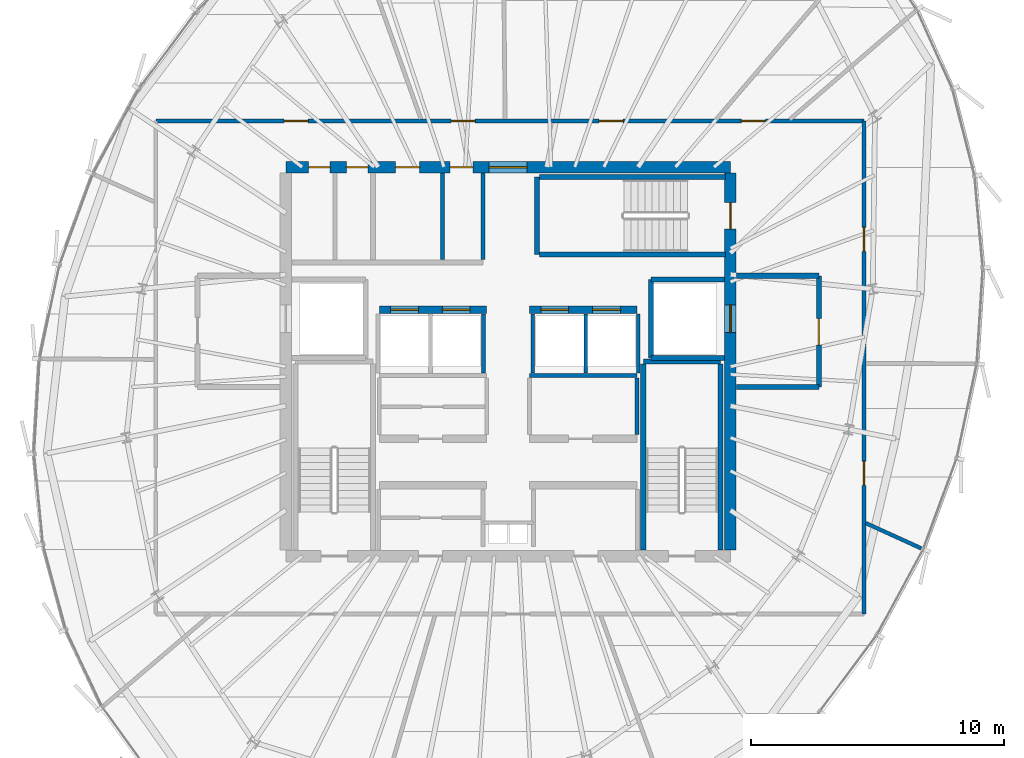
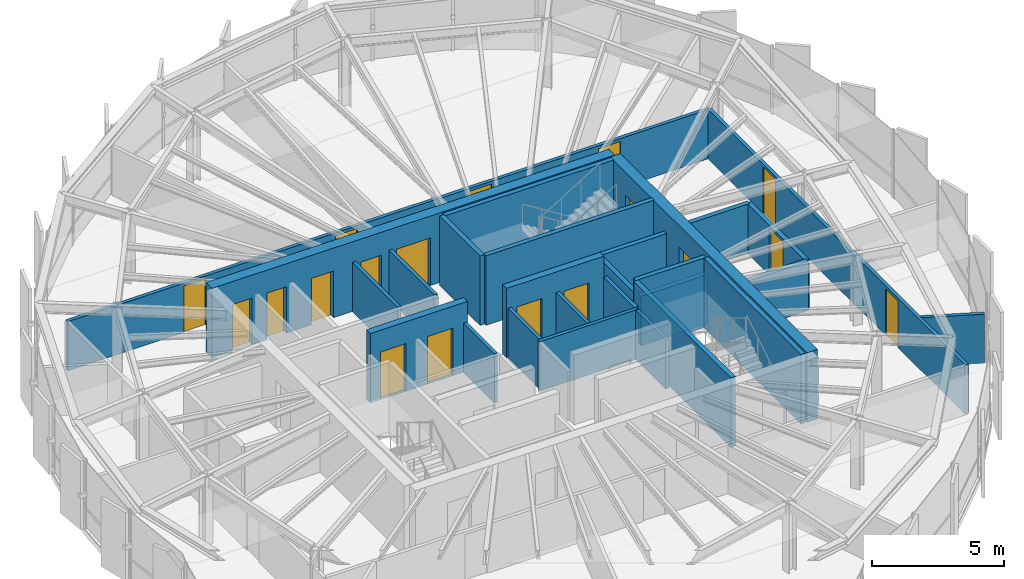
# One storey, part 25 of 30: 27 walls, 18 doors, 18 openings.
"""IFC4 building model written with IfcOpenShell, lengths in metres."""

from ifc_helpers import new_model, si_unit, direction, frame, frame_2d, origin, place, context, subcontext, project, spatial, rectangle, extrude, source, transform, mapped, material, layer, layer_set, type_object, element, fill, save


model = new_model("IFC4")

# Units and contexts
model_context = context("Model", 3, precision=1e-05, world=origin(), true_north=direction((0.0, 1.0)))
body_context = subcontext(model_context, "Body", "Model", "MODEL_VIEW")
ifc_project = project(units=[si_unit("LENGTHUNIT", "METRE"), si_unit("AREAUNIT", "SQUARE_METRE"), si_unit("VOLUMEUNIT", "CUBIC_METRE"), si_unit("PLANEANGLEUNIT", "RADIAN"), si_unit("MASSUNIT", "GRAM", prefix="KILO"), si_unit("THERMODYNAMICTEMPERATUREUNIT", "KELVIN")], contexts=[model_context])

# Site, building, storey
site_placement = place(None, origin())
site = spatial("IfcSite", under=ifc_project, at=site_placement, CompositionType="ELEMENT")
building_placement = place(site_placement, origin())
building = spatial("IfcBuilding", under=site, at=building_placement, Name="Kethvar Cultural Tower", CompositionType="ELEMENT")
storey_placement = place(building_placement, frame((0.0, 0.0, 297.39990234375)))
storey = spatial("IfcBuildingStorey", under=building, at=storey_placement, Name="L79", CompositionType="ELEMENT", Elevation=297.39990234375)

# Wall, openings, doors
ifc_material_1 = material(Name="Concrete C50/60", Category="concrete")
ifc_layer_1 = layer(ifc_material_1, 0.449951171875, Name="Concrete C50/60", Category="concrete")
ifc_layer_set_1 = layer_set([ifc_layer_1], Name="Concrete C50/60 (450 mm)")
wall_type_1 = type_object("IfcWallType", Name="WL-CORE-450", PredefinedType="SHEAR", material=ifc_layer_set_1)
wall_1_placement = place(storey_placement, frame((55.60009765625, 35.5, 0.0), z_axis=(0.0, 0.0, 1.0), x_axis=(-1.0, 0.0, 0.0)))
wall_1 = element("IfcWall", 1, at=wall_1_placement, inside=storey, type_object=wall_type_1, Name="L79 Core Shear Wall N", PredefinedType="SHEAR", context=body_context, shape_type="SweptSolid", body=[
    extrude(rectangle(XDim=17.60009765625, YDim=0.449951171875, at=frame_2d((8.800048828125, 0.0))), origin(), (0.0, 0.0, 1.0), 3.210205078125),
])
opening_1_placement = place(wall_1_placement, frame((8.050048828125, 0.0, 0.0)))
opening_1 = element("IfcOpeningElement", 2, at=opening_1_placement, cuts=wall_1, Name="Opening D-L79-LN", PredefinedType="OPENING", context=body_context, shape_type="SweptSolid", body=[
    extrude(rectangle(XDim=1.5, YDim=2.199951171875, at=frame_2d((0.75, 1.10009765625))), frame((0.0, 0.23486328125, 0.0), z_axis=(0.0, -1.0, 0.0), x_axis=(1.0, 0.0, 0.0)), (0.0, 0.0, 1.0), 0.469970703125),
])
opening_2_placement = place(wall_1_placement, frame((15.85009765625, 0.0, 0.0)))
opening_2 = element("IfcOpeningElement", 3, at=opening_2_placement, cuts=wall_1, Name="Opening D-L79-E1", PredefinedType="OPENING", context=body_context, shape_type="SweptSolid", body=[
    extrude(rectangle(XDim=0.85009765625, YDim=2.14990234375, at=frame_2d((0.425048828125, 1.074951171875))), frame((0.0, 0.23486328125, 0.0), z_axis=(0.0, -1.0, 0.0), x_axis=(1.0, 0.0, 0.0)), (0.0, 0.0, 1.0), 0.469970703125),
])
opening_3_placement = place(wall_1_placement, frame((14.35009765625, 0.0, 0.0)))
opening_3 = element("IfcOpeningElement", 4, at=opening_3_placement, cuts=wall_1, Name="Opening D-L79-E2", PredefinedType="OPENING", context=body_context, shape_type="SweptSolid", body=[
    extrude(rectangle(XDim=0.85009765625, YDim=2.14990234375, at=frame_2d((0.425048828125, 1.074951171875))), frame((0.0, 0.23486328125, 0.0), z_axis=(0.0, -1.0, 0.0), x_axis=(1.0, 0.0, 0.0)), (0.0, 0.0, 1.0), 0.469970703125),
])
opening_4_placement = place(wall_1_placement, frame((12.300048828125, 0.0, 0.0)))
opening_4 = element("IfcOpeningElement", 5, at=opening_4_placement, cuts=wall_1, Name="Opening D-L79-W1", PredefinedType="OPENING", context=body_context, shape_type="SweptSolid", body=[
    extrude(rectangle(XDim=0.949951171875, YDim=2.14990234375, at=frame_2d((0.47509765625, 1.074951171875))), frame((0.0, 0.23486328125, 0.0), z_axis=(0.0, -1.0, 0.0), x_axis=(1.0, 0.0, 0.0)), (0.0, 0.0, 1.0), 0.469970703125),
])
opening_5_placement = place(wall_1_placement, frame((10.199951171875, 0.0, 0.0)))
opening_5 = element("IfcOpeningElement", 6, at=opening_5_placement, cuts=wall_1, Name="Opening D-L79-W2", PredefinedType="OPENING", context=body_context, shape_type="SweptSolid", body=[
    extrude(rectangle(XDim=0.89990234375, YDim=2.14990234375, at=frame_2d((0.449951171875, 1.074951171875))), frame((0.0, 0.23486328125, 0.0), z_axis=(0.0, -1.0, 0.0), x_axis=(1.0, 0.0, 0.0)), (0.0, 0.0, 1.0), 0.469970703125),
])
ifc_material_2 = material(Name="Architectural Oak Timber", Category="wood")
door_type_1 = type_object("IfcDoorType", Name="DR-DBL-FD60-1500", OperationType="DOUBLE_DOOR_SINGLE_SWING", PredefinedType="DOOR", material=ifc_material_2)
shared_shape_1 = source(origin(), body_context, "Body", "SweptSolid", [
    extrude(rectangle(XDim=1.5, YDim=2.199951171875, at=frame_2d((0.75, 1.10009765625))), frame((0.0, 0.02490234375, 0.0), z_axis=(0.0, -1.0, 0.0), x_axis=(1.0, 0.0, 0.0)), (0.0, 0.0, 1.0), 0.050048828125),
])
door_1_placement = place(opening_1_placement, origin())
door_1 = element("IfcDoor", 7, at=door_1_placement, inside=storey, type_object=door_type_1, Name="L79 Lift Lobby Concourse Door", OperationType="DOUBLE_DOOR_SINGLE_SWING", OverallHeight=2.199951171875, OverallWidth=1.5, PredefinedType="DOOR", context=body_context, shape_type="MappedRepresentation", body=[
    mapped(shared_shape_1, transform((0.0, 0.0, 0.0), scale=1.0)),
])
fill(opening_1, door_1)
door_type_2 = type_object("IfcDoorType", Name="DR-FD30-950", OperationType="NOTDEFINED", PredefinedType="DOOR", material=ifc_material_2)
shared_shape_2 = source(origin(), body_context, "Body", "SweptSolid", [
    extrude(rectangle(XDim=0.949951171875, YDim=2.14990234375, at=frame_2d((0.47509765625, 1.074951171875))), frame((0.0, 0.02490234375, 0.0), z_axis=(0.0, -1.0, 0.0), x_axis=(1.0, 0.0, 0.0)), (0.0, 0.0, 1.0), 0.050048828125),
])
door_2_placement = place(opening_4_placement, origin())
door_2 = element("IfcDoor", 8, at=door_2_placement, inside=storey, type_object=door_type_2, Name="L79 Public Washroom Door", OperationType="SINGLE_SWING_LEFT", OverallHeight=2.14990234375, OverallWidth=0.949951171875, PredefinedType="DOOR", context=body_context, shape_type="MappedRepresentation", body=[
    mapped(shared_shape_2, transform((0.0, 0.0, 0.0), scale=1.0)),
])
fill(opening_4, door_2)
door_type_3 = type_object("IfcDoorType", Name="DR-FD30-900", OperationType="NOTDEFINED", PredefinedType="DOOR", material=ifc_material_2)
shared_shape_3 = source(origin(), body_context, "Body", "SweptSolid", [
    extrude(rectangle(XDim=0.89990234375, YDim=2.14990234375, at=frame_2d((0.449951171875, 1.074951171875))), frame((0.0, 0.02490234375, 0.0), z_axis=(0.0, -1.0, 0.0), x_axis=(1.0, 0.0, 0.0)), (0.0, 0.0, 1.0), 0.050048828125),
])
door_3_placement = place(opening_5_placement, origin())
door_3 = element("IfcDoor", 9, at=door_3_placement, inside=storey, type_object=door_type_3, Name="L79 Accessible Washroom Door", OperationType="SINGLE_SWING_RIGHT", OverallHeight=2.14990234375, OverallWidth=0.89990234375, PredefinedType="DOOR", context=body_context, shape_type="MappedRepresentation", body=[
    mapped(shared_shape_3, transform((0.0, 0.0, 0.0), scale=1.0)),
])
fill(opening_5, door_3)
ifc_material_3 = material(Name="Steel S355J2", Category="steel")
door_type_4 = type_object("IfcDoorType", Name="DR-FD30-850", OperationType="NOTDEFINED", PredefinedType="DOOR", material=ifc_material_3)
shared_shape_4 = source(origin(), body_context, "Body", "SweptSolid", [
    extrude(rectangle(XDim=0.85009765625, YDim=2.14990234375, at=frame_2d((0.425048828125, 1.074951171875))), frame((0.0, 0.02490234375, 0.0), z_axis=(0.0, -1.0, 0.0), x_axis=(1.0, 0.0, 0.0)), (0.0, 0.0, 1.0), 0.050048828125),
])
door_4_placement = place(opening_2_placement, origin())
door_4 = element("IfcDoor", 10, at=door_4_placement, inside=storey, type_object=door_type_4, Name="L79 Electrical Riser Door", OperationType="SINGLE_SWING_LEFT", OverallHeight=2.14990234375, OverallWidth=0.85009765625, PredefinedType="DOOR", context=body_context, shape_type="MappedRepresentation", body=[
    mapped(shared_shape_4, transform((0.0, 0.0, 0.0), scale=1.0)),
])
fill(opening_2, door_4)
door_5_placement = place(opening_3_placement, origin())
door_5 = element("IfcDoor", 11, at=door_5_placement, inside=storey, type_object=door_type_4, Name="L79 Chilled Water Riser Door", OperationType="SINGLE_SWING_RIGHT", OverallHeight=2.14990234375, OverallWidth=0.85009765625, PredefinedType="DOOR", context=body_context, shape_type="MappedRepresentation", body=[
    mapped(shared_shape_4, transform((0.0, 0.0, 0.0), scale=1.0)),
])
fill(opening_3, door_5)

wall_2_placement = place(storey_placement, frame((55.60009765625, 20.340087890625, 0.0), z_axis=(0.0, 0.0, 1.0), x_axis=(0.0, 1.0, 0.0)))
wall_2 = element("IfcWall", 12, at=wall_2_placement, inside=storey, type_object=wall_type_1, Name="L79 Core Shear Wall E", PredefinedType="SHEAR", context=body_context, shape_type="SweptSolid", body=[
    extrude(rectangle(XDim=14.919921875, YDim=0.449951171875, at=frame_2d((7.4599609375, 0.0))), origin(), (0.0, 0.0, 1.0), 3.210205078125),
])
opening_6_placement = place(wall_2_placement, frame((12.7099609375, 0.0, 0.0)))
opening_6 = element("IfcOpeningElement", 13, at=opening_6_placement, cuts=wall_2, Name="Opening D-L79-S3", PredefinedType="OPENING", context=body_context, shape_type="SweptSolid", body=[
    extrude(rectangle(XDim=1.050048828125, YDim=2.14990234375, at=frame_2d((0.52490234375, 1.074951171875))), frame((0.0, 0.23486328125, 0.0), z_axis=(0.0, -1.0, 0.0), x_axis=(1.0, 0.0, 0.0)), (0.0, 0.0, 1.0), 0.469970703125),
])
opening_7_placement = place(wall_2_placement, frame((8.610107421875, 0.0, 0.0)))
opening_7 = element("IfcOpeningElement", 14, at=opening_7_placement, cuts=wall_2, Name="Opening LD-2", PredefinedType="OPENING", context=body_context, shape_type="SweptSolid", body=[
    extrude(rectangle(XDim=1.10009765625, YDim=2.199951171875, at=frame_2d((0.550048828125, 1.10009765625))), frame((0.0, 0.23486328125, 0.0), z_axis=(0.0, -1.0, 0.0), x_axis=(1.0, 0.0, 0.0)), (0.0, 0.0, 1.0), 0.469970703125),
])
door_type_5 = type_object("IfcDoorType", Name="DR-FD60-1050", OperationType="NOTDEFINED", PredefinedType="DOOR", material=ifc_material_3)
shared_shape_5 = source(origin(), body_context, "Body", "SweptSolid", [
    extrude(rectangle(XDim=1.050048828125, YDim=2.14990234375, at=frame_2d((0.52490234375, 1.074951171875))), frame((0.0, 0.02490234375, 0.0), z_axis=(0.0, -1.0, 0.0), x_axis=(1.0, 0.0, 0.0)), (0.0, 0.0, 1.0), 0.050048828125),
])
door_6_placement = place(opening_6_placement, origin())
door_6 = element("IfcDoor", 15, at=door_6_placement, inside=storey, type_object=door_type_5, Name="L79 Exit Stair 3 Door", OperationType="SINGLE_SWING_LEFT", OverallHeight=2.14990234375, OverallWidth=1.050048828125, PredefinedType="DOOR", context=body_context, shape_type="MappedRepresentation", body=[
    mapped(shared_shape_5, transform((0.0, 0.0, 0.0), scale=1.0)),
])
fill(opening_6, door_6)
door_type_6 = type_object("IfcDoorType", Name="DR-LIFT-SLIDE-1100", OperationType="NOTDEFINED", PredefinedType="DOOR", material=ifc_material_3)
shared_shape_6 = source(origin(), body_context, "Body", "SweptSolid", [
    extrude(rectangle(XDim=1.10009765625, YDim=2.199951171875, at=frame_2d((0.550048828125, 1.10009765625))), frame((0.0, 0.02490234375, 0.0), z_axis=(0.0, -1.0, 0.0), x_axis=(1.0, 0.0, 0.0)), (0.0, 0.0, 1.0), 0.050048828125),
])
door_7_placement = place(opening_7_placement, origin())
door_7 = element("IfcDoor", 16, at=door_7_placement, inside=storey, type_object=door_type_6, Name="L79 Firefighting Lift Landing Door FFL-02", OperationType="SLIDING_TO_RIGHT", OverallHeight=2.199951171875, OverallWidth=1.10009765625, PredefinedType="DOOR", context=body_context, shape_type="MappedRepresentation", body=[
    mapped(shared_shape_6, transform((0.0, 0.0, 0.0), scale=1.0)),
])
fill(opening_7, door_7)

# Walls
ifc_material_4 = material(Name="Gypsum Fireboard Partition")
ifc_layer_2 = layer(ifc_material_4, 0.14990234375, Name="Gypsum Fireboard Partition")
ifc_layer_set_2 = layer_set([ifc_layer_2], Name="Gypsum Fireboard Partition (150 mm)")
wall_type_2 = type_object("IfcWallType", Name="WL-FIRE-150", PredefinedType="PARTITIONING", material=ifc_layer_set_2)
wall_3_placement = place(storey_placement, frame((47.64990234375, 27.25, 0.0), z_axis=(0.0, 0.0, 1.0), x_axis=(1.0, 0.0, 0.0)))
element("IfcWall", 17, at=wall_3_placement, inside=storey, type_object=wall_type_2, Name="L79 Reclaimed Mid Wall E", PredefinedType="PARTITIONING", context=body_context, shape_type="SweptSolid", body=[
    extrude(rectangle(XDim=4.25, YDim=0.14990234375, at=frame_2d((2.125, 0.0))), origin(), (0.0, 0.0, 1.0), 2.280029296875),
])
wall_4_placement = place(storey_placement, frame((51.89990234375, 24.919921875, 0.0), z_axis=(0.0, 0.0, 1.0), x_axis=(0.0, 1.0, 0.0)))
element("IfcWall", 18, at=wall_4_placement, inside=storey, type_object=wall_type_2, Name="L79 Reclaimed Mid Outer E", PredefinedType="PARTITIONING", context=body_context, shape_type="SweptSolid", body=[
    extrude(rectangle(XDim=2.239990234375, YDim=0.14990234375, at=frame_2d((1.1201171875, 0.0))), origin(), (0.0, 0.0, 1.0), 2.280029296875),
])
for number, where, z_axis, x_axis, name in (
    (19, (45.824951171875, 27.340087890625, 0.0), (0.0, 0.0, 1.0), (0.0, 1.0, 0.0), "L79 High-Rise Lift Shaft Concourse Wall W"),
    (20, (47.77490234375, 27.340087890625, 0.0), (0.0, 0.0, 1.0), (0.0, 1.0, 0.0), "L79 High-Rise Lift Shaft Concourse Wall E"),
    (21, (49.875, 27.340087890625, 0.0), (0.0, 0.0, 1.0), (0.0, 1.0, 0.0), "L79 High-Rise Lift Shaft Divider E"),
    (22, (51.949951171875, 27.340087890625, 0.0), (0.0, 0.0, 1.0), (0.0, 1.0, 0.0), "L79 High-Rise Lift Shaft Outer Wall E"),
):
    element("IfcWall", number, at=place(storey_placement, frame(where, z_axis=z_axis, x_axis=x_axis)), inside=storey, type_object=wall_type_2, Name=name, PredefinedType="PARTITIONING", context=body_context, shape_type="SweptSolid", body=[
        extrude(rectangle(XDim=2.33984375, YDim=0.14990234375, at=frame_2d((1.169921875, 0.0))), origin(), (0.0, 0.0, 1.0), 2.280029296875),
    ])
wall_5_placement = place(storey_placement, frame((45.800048828125, 31.85009765625, 0.0), z_axis=(0.0, 0.0, 1.0), x_axis=(0.0, 1.0, 0.0)))
element("IfcWall", 23, at=wall_5_placement, inside=storey, type_object=wall_type_2, Name="L79 Sanitary Spine Wall", PredefinedType="PARTITIONING", context=body_context, shape_type="SweptSolid", body=[
    extrude(rectangle(XDim=3.414794921875, YDim=0.14990234375, at=frame_2d((1.70751953125, 0.0))), origin(), (0.0, 0.0, 1.0), 2.280029296875),
])

# Wall, openings, doors
wall_6_placement = place(storey_placement, frame((60.887939453125, 17.806884765625, 0.0), z_axis=(0.0, 0.0, 1.0), x_axis=(0.0, 1.0, 0.0)))
wall_6 = element("IfcWall", 24, at=wall_6_placement, inside=storey, type_object=wall_type_2, Name="L79 Corridor Rated Wall E", PredefinedType="PARTITIONING", context=body_context, shape_type="SweptSolid", body=[
    extrude(rectangle(XDim=19.524169921875, YDim=0.14990234375, at=frame_2d((9.76220703125, 0.0))), origin(), (0.0, 0.0, 1.0), 2.280029296875),
])
opening_8_placement = place(wall_6_placement, frame((5.089111328125, 0.0, 0.0)))
opening_8 = element("IfcOpeningElement", 25, at=opening_8_placement, cuts=wall_6, Name="Opening D-L79-04", PredefinedType="OPENING", context=body_context, shape_type="SweptSolid", body=[
    extrude(rectangle(XDim=0.949951171875, YDim=2.14990234375, at=frame_2d((0.47509765625, 1.074951171875))), frame((0.0, 0.0849609375, 0.0), z_axis=(0.0, -1.0, 0.0), x_axis=(1.0, 0.0, 0.0)), (0.0, 0.0, 1.0), 0.169921875),
])
opening_9_placement = place(wall_6_placement, frame((14.35888671875, 0.0, 0.0)))
opening_9 = element("IfcOpeningElement", 26, at=opening_9_placement, cuts=wall_6, Name="Opening D-L79-05", PredefinedType="OPENING", context=body_context, shape_type="SweptSolid", body=[
    extrude(rectangle(XDim=0.949951171875, YDim=2.14990234375, at=frame_2d((0.47509765625, 1.074951171875))), frame((0.0, 0.0849609375, 0.0), z_axis=(0.0, -1.0, 0.0), x_axis=(1.0, 0.0, 0.0)), (0.0, 0.0, 1.0), 0.169921875),
])
door_8_placement = place(opening_8_placement, origin())
door_8 = element("IfcDoor", 27, at=door_8_placement, inside=storey, type_object=door_type_2, Name="L79 Scholars' Study Lounge 04 Door", OperationType="SINGLE_SWING_LEFT", OverallHeight=2.14990234375, OverallWidth=0.949951171875, PredefinedType="DOOR", context=body_context, shape_type="MappedRepresentation", body=[
    mapped(shared_shape_2, transform((0.0, 0.0, 0.0), scale=1.0)),
])
fill(opening_8, door_8)
door_9_placement = place(opening_9_placement, origin())
door_9 = element("IfcDoor", 28, at=door_9_placement, inside=storey, type_object=door_type_2, Name="L79 Periodicals Reading Lounge 05 Door", OperationType="SINGLE_SWING_RIGHT", OverallHeight=2.14990234375, OverallWidth=0.949951171875, PredefinedType="DOOR", context=body_context, shape_type="MappedRepresentation", body=[
    mapped(shared_shape_2, transform((0.0, 0.0, 0.0), scale=1.0)),
])
fill(opening_9, door_9)

wall_7_placement = place(storey_placement, frame((60.887939453125, 37.3310546875, 0.0), z_axis=(0.0, 0.0, 1.0), x_axis=(-1.0, 0.0, 0.0)))
wall_7 = element("IfcWall", 29, at=wall_7_placement, inside=storey, type_object=wall_type_2, Name="L79 Corridor Rated Wall N", PredefinedType="PARTITIONING", context=body_context, shape_type="SweptSolid", body=[
    extrude(rectangle(XDim=28.037841796875, YDim=0.14990234375, at=frame_2d((14.01904296875, 0.0))), origin(), (0.0, 0.0, 1.0), 2.280029296875),
])
opening_10_placement = place(wall_7_placement, frame((3.90283203125, 0.0, 0.0)))
opening_10 = element("IfcOpeningElement", 30, at=opening_10_placement, cuts=wall_7, Name="Opening D-L79-06", PredefinedType="OPENING", context=body_context, shape_type="SweptSolid", body=[
    extrude(rectangle(XDim=0.949951171875, YDim=2.14990234375, at=frame_2d((0.47509765625, 1.074951171875))), frame((0.0, 0.0849609375, 0.0), z_axis=(0.0, -1.0, 0.0), x_axis=(1.0, 0.0, 0.0)), (0.0, 0.0, 1.0), 0.169921875),
])
opening_11_placement = place(wall_7_placement, frame((9.534423828125, 0.0, 0.0)))
opening_11 = element("IfcOpeningElement", 31, at=opening_11_placement, cuts=wall_7, Name="Opening D-L79-07", PredefinedType="OPENING", context=body_context, shape_type="SweptSolid", body=[
    extrude(rectangle(XDim=0.949951171875, YDim=2.14990234375, at=frame_2d((0.47509765625, 1.074951171875))), frame((0.0, 0.0849609375, 0.0), z_axis=(0.0, -1.0, 0.0), x_axis=(1.0, 0.0, 0.0)), (0.0, 0.0, 1.0), 0.169921875),
])
opening_12_placement = place(wall_7_placement, frame((15.393310546875, 0.0, 0.0)))
opening_12 = element("IfcOpeningElement", 32, at=opening_12_placement, cuts=wall_7, Name="Opening D-L79-08", PredefinedType="OPENING", context=body_context, shape_type="SweptSolid", body=[
    extrude(rectangle(XDim=0.949951171875, YDim=2.14990234375, at=frame_2d((0.47509765625, 1.074951171875))), frame((0.0, 0.0849609375, 0.0), z_axis=(0.0, -1.0, 0.0), x_axis=(1.0, 0.0, 0.0)), (0.0, 0.0, 1.0), 0.169921875),
])
opening_13_placement = place(wall_7_placement, frame((22.0107421875, 0.0, 0.0)))
opening_13 = element("IfcOpeningElement", 33, at=opening_13_placement, cuts=wall_7, Name="Opening D-L79-09", PredefinedType="OPENING", context=body_context, shape_type="SweptSolid", body=[
    extrude(rectangle(XDim=0.949951171875, YDim=2.14990234375, at=frame_2d((0.47509765625, 1.074951171875))), frame((0.0, 0.0849609375, 0.0), z_axis=(0.0, -1.0, 0.0), x_axis=(1.0, 0.0, 0.0)), (0.0, 0.0, 1.0), 0.169921875),
])
door_10_placement = place(opening_10_placement, origin())
door_10 = element("IfcDoor", 34, at=door_10_placement, inside=storey, type_object=door_type_2, Name="L79 Curatorial Concierge Foyer 06 Door", OperationType="SINGLE_SWING_LEFT", OverallHeight=2.14990234375, OverallWidth=0.949951171875, PredefinedType="DOOR", context=body_context, shape_type="MappedRepresentation", body=[
    mapped(shared_shape_2, transform((0.0, 0.0, 0.0), scale=1.0)),
])
fill(opening_10, door_10)
door_11_placement = place(opening_11_placement, origin())
door_11 = element("IfcDoor", 35, at=door_11_placement, inside=storey, type_object=door_type_2, Name="L79 Concourse Visitor Foyer 07 Door", OperationType="SINGLE_SWING_RIGHT", OverallHeight=2.14990234375, OverallWidth=0.949951171875, PredefinedType="DOOR", context=body_context, shape_type="MappedRepresentation", body=[
    mapped(shared_shape_2, transform((0.0, 0.0, 0.0), scale=1.0)),
])
fill(opening_11, door_11)
door_12_placement = place(opening_12_placement, origin())
door_12 = element("IfcDoor", 36, at=door_12_placement, inside=storey, type_object=door_type_2, Name="L79 Patron Reception 08 Door", OperationType="SINGLE_SWING_LEFT", OverallHeight=2.14990234375, OverallWidth=0.949951171875, PredefinedType="DOOR", context=body_context, shape_type="MappedRepresentation", body=[
    mapped(shared_shape_2, transform((0.0, 0.0, 0.0), scale=1.0)),
])
fill(opening_12, door_12)
door_13_placement = place(opening_13_placement, origin())
door_13 = element("IfcDoor", 37, at=door_13_placement, inside=storey, type_object=door_type_2, Name="L79 Docent Espresso Pantry 09 Door", OperationType="SINGLE_SWING_RIGHT", OverallHeight=2.14990234375, OverallWidth=0.949951171875, PredefinedType="DOOR", context=body_context, shape_type="MappedRepresentation", body=[
    mapped(shared_shape_2, transform((0.0, 0.0, 0.0), scale=1.0)),
])
fill(opening_13, door_13)

# Walls
ifc_material_5 = material(Name="Concrete C40/50", Category="concrete")
ifc_layer_3 = layer(ifc_material_5, 0.199951171875, Name="Concrete C40/50", Category="concrete")
ifc_layer_set_3 = layer_set([ifc_layer_3], Name="Concrete C40/50 (200 mm)")
wall_type_3 = type_object("IfcWallType", Name="WL-FIRE-200", PredefinedType="PARTITIONING", material=ifc_layer_set_3)
wall_8_placement = place(storey_placement, frame((52.449951171875, 27.949951171875, 0.0), z_axis=(0.0, 0.0, 1.0), x_axis=(0.0, 1.0, 0.0)))
element("IfcWall", 38, at=wall_8_placement, inside=storey, type_object=wall_type_3, Name="L79 FFL-02 Shaft Inner Wall", PredefinedType="PARTITIONING", context=body_context, shape_type="SweptSolid", body=[
    extrude(rectangle(XDim=3.10009765625, YDim=0.199951171875, at=frame_2d((1.550048828125, 0.0))), origin(), (0.0, 0.0, 1.0), 2.280029296875),
])
for number, where, z_axis, x_axis, name in (
    (39, (52.449951171875, 27.949951171875, 0.0), (0.0, 0.0, 1.0), (1.0, 0.0, 0.0), "L79 FFL-02 Shaft South Wall"),
    (40, (52.449951171875, 31.050048828125, 0.0), (0.0, 0.0, 1.0), (1.0, 0.0, 0.0), "L79 FFL-02 Shaft North Wall"),
):
    element("IfcWall", number, at=place(storey_placement, frame(where, z_axis=z_axis, x_axis=x_axis)), inside=storey, type_object=wall_type_3, Name=name, PredefinedType="PARTITIONING", context=body_context, shape_type="SweptSolid", body=[
        extrude(rectangle(XDim=2.9150390625, YDim=0.199951171875, at=frame_2d((1.45751953125, 0.0))), origin(), (0.0, 0.0, 1.0), 2.280029296875),
    ])

# Wall, opening, door
wall_9_placement = place(storey_placement, frame((59.10009765625, 26.800048828125, 0.0), z_axis=(0.0, 0.0, 1.0), x_axis=(0.0, 1.0, 0.0)))
wall_9 = element("IfcWall", 41, at=wall_9_placement, inside=storey, type_object=wall_type_3, Name="L79 Firefighting Lobby 2 Wall", PredefinedType="PARTITIONING", context=body_context, shape_type="SweptSolid", body=[
    extrude(rectangle(XDim=4.39990234375, YDim=0.199951171875, at=frame_2d((2.199951171875, 0.0))), origin(), (0.0, 0.0, 1.0), 2.280029296875),
])
opening_14_placement = place(wall_9_placement, frame((1.64990234375, 0.0, 0.0)))
opening_14 = element("IfcOpeningElement", 42, at=opening_14_placement, cuts=wall_9, Name="Opening D-L79-F2", PredefinedType="OPENING", context=body_context, shape_type="SweptSolid", body=[
    extrude(rectangle(XDim=1.050048828125, YDim=2.14990234375, at=frame_2d((0.52490234375, 1.074951171875))), frame((0.0, 0.10986328125, 0.0), z_axis=(0.0, -1.0, 0.0), x_axis=(1.0, 0.0, 0.0)), (0.0, 0.0, 1.0), 0.219970703125),
])
door_14_placement = place(opening_14_placement, origin())
door_14 = element("IfcDoor", 43, at=door_14_placement, inside=storey, type_object=door_type_5, Name="L79 Firefighting Lobby 2 Fire Door", OperationType="SINGLE_SWING_LEFT", OverallHeight=2.14990234375, OverallWidth=1.050048828125, PredefinedType="DOOR", context=body_context, shape_type="MappedRepresentation", body=[
    mapped(shared_shape_5, transform((0.0, 0.0, 0.0), scale=1.0)),
])
fill(opening_14, door_14)

# Walls
for number, where, z_axis, x_axis, name in (
    (44, (55.8349609375, 26.800048828125, 0.0), (0.0, 0.0, 1.0), (1.0, 0.0, 0.0), "L79 FF Lobby 2 South Wall"),
    (45, (55.8349609375, 31.199951171875, 0.0), (0.0, 0.0, 1.0), (1.0, 0.0, 0.0), "L79 FF Lobby 2 North Wall"),
):
    element("IfcWall", number, at=place(storey_placement, frame(where, z_axis=z_axis, x_axis=x_axis)), inside=storey, type_object=wall_type_3, Name=name, PredefinedType="PARTITIONING", context=body_context, shape_type="SweptSolid", body=[
        extrude(rectangle(XDim=3.26513671875, YDim=0.199951171875, at=frame_2d((1.632568359375, 0.0))), origin(), (0.0, 0.0, 1.0), 2.280029296875),
    ])
ifc_material_6 = material(Name="Gypsum Acoustic Partition")
ifc_layer_4 = layer(ifc_material_6, 0.14990234375, Name="Gypsum Acoustic Partition")
ifc_layer_set_4 = layer_set([ifc_layer_4], Name="Gypsum Acoustic Partition (150 mm)")
wall_type_4 = type_object("IfcWallType", Name="WL-PART-150", PredefinedType="PARTITIONING", material=ifc_layer_set_4)
wall_10_placement = place(storey_placement, frame((60.960693359375, 21.406005859375, 0.0), z_axis=(0.0, 0.0, 1.0), x_axis=(0.910238051655, -0.414085364772, 0.0)))
element("IfcWall", 46, at=wall_10_placement, inside=storey, type_object=wall_type_4, Name="L79 Radial Partition Wall 04", PredefinedType="PARTITIONING", context=body_context, shape_type="SweptSolid", body=[
    extrude(rectangle(XDim=2.40966796875, YDim=0.14990234375, at=frame_2d((1.204833984375, 0.0))), origin(), (0.0, 0.0, 1.0), 2.280029296875),
])
ifc_material_7 = material(Name="Moisture-Resistant Sanitary Chase Wall")
ifc_layer_5 = layer(ifc_material_7, 0.14990234375, Name="Moisture-Resistant Sanitary Chase Wall")
ifc_layer_set_5 = layer_set([ifc_layer_5], Name="Moisture-Resistant Sanitary Chase Wall (150 mm)")
wall_type_5 = type_object("IfcWallType", Name="WL-PLUMB-150", PredefinedType="PLUMBINGWALL", material=ifc_layer_set_5)
wall_11_placement = place(storey_placement, frame((44.199951171875, 31.85009765625, 0.0), z_axis=(0.0, 0.0, 1.0), x_axis=(0.0, 1.0, 0.0)))
element("IfcWall", 47, at=wall_11_placement, inside=storey, type_object=wall_type_5, Name="L79 Sanitary Plumbing Wall", PredefinedType="PLUMBINGWALL", context=body_context, shape_type="SweptSolid", body=[
    extrude(rectangle(XDim=3.414794921875, YDim=0.14990234375, at=frame_2d((1.70751953125, 0.0))), origin(), (0.0, 0.0, 1.0), 2.280029296875),
])

# Wall, openings, doors
ifc_layer_6 = layer(ifc_material_1, 0.300048828125, Name="Concrete C50/60", Category="concrete")
ifc_layer_set_6 = layer_set([ifc_layer_6], Name="Concrete C50/60 (300 mm)")
wall_type_6 = type_object("IfcWallType", Name="WL-SHAFT-300", PredefinedType="SHEAR", material=ifc_layer_set_6)
wall_12_placement = place(storey_placement, frame((41.699951171875, 29.85009765625, 0.0), z_axis=(0.0, 0.0, 1.0), x_axis=(1.0, 0.0, 0.0)))
wall_12 = element("IfcWall", 48, at=wall_12_placement, inside=storey, type_object=wall_type_6, Name="L79 Core Lift Spine Wall MID3W", PredefinedType="SHEAR", context=body_context, shape_type="SweptSolid", body=[
    extrude(rectangle(XDim=4.25, YDim=0.300048828125, at=frame_2d((2.125, 0.0))), origin(), (0.0, 0.0, 1.0), 3.210205078125),
])
opening_15_placement = place(wall_12_placement, frame((0.449951171875, 0.0, 0.0)))
opening_15 = element("IfcOpeningElement", 49, at=opening_15_placement, cuts=wall_12, Name="Opening LD-H1", PredefinedType="OPENING", context=body_context, shape_type="SweptSolid", body=[
    extrude(rectangle(XDim=1.10009765625, YDim=2.199951171875, at=frame_2d((0.550048828125, 1.10009765625))), frame((0.0, 0.159912109375, 0.0), z_axis=(0.0, -1.0, 0.0), x_axis=(1.0, 0.0, 0.0)), (0.0, 0.0, 1.0), 0.320068359375),
])
opening_16_placement = place(wall_12_placement, frame((2.5, 0.0, 0.0)))
opening_16 = element("IfcOpeningElement", 50, at=opening_16_placement, cuts=wall_12, Name="Opening LD-H2", PredefinedType="OPENING", context=body_context, shape_type="SweptSolid", body=[
    extrude(rectangle(XDim=1.10009765625, YDim=2.199951171875, at=frame_2d((0.550048828125, 1.10009765625))), frame((0.0, 0.159912109375, 0.0), z_axis=(0.0, -1.0, 0.0), x_axis=(1.0, 0.0, 0.0)), (0.0, 0.0, 1.0), 0.320068359375),
])
door_15_placement = place(opening_15_placement, origin())
door_15 = element("IfcDoor", 51, at=door_15_placement, inside=storey, type_object=door_type_6, Name="L79 High-Rise Lift Landing Door H1", OperationType="SLIDING_TO_LEFT", OverallHeight=2.199951171875, OverallWidth=1.10009765625, PredefinedType="DOOR", context=body_context, shape_type="MappedRepresentation", body=[
    mapped(shared_shape_6, transform((0.0, 0.0, 0.0), scale=1.0)),
])
fill(opening_15, door_15)
door_16_placement = place(opening_16_placement, origin())
door_16 = element("IfcDoor", 52, at=door_16_placement, inside=storey, type_object=door_type_6, Name="L79 High-Rise Lift Landing Door H2", OperationType="SLIDING_TO_LEFT", OverallHeight=2.199951171875, OverallWidth=1.10009765625, PredefinedType="DOOR", context=body_context, shape_type="MappedRepresentation", body=[
    mapped(shared_shape_6, transform((0.0, 0.0, 0.0), scale=1.0)),
])
fill(opening_16, door_16)

wall_13_placement = place(storey_placement, frame((47.64990234375, 29.85009765625, 0.0), z_axis=(0.0, 0.0, 1.0), x_axis=(1.0, 0.0, 0.0)))
wall_13 = element("IfcWall", 53, at=wall_13_placement, inside=storey, type_object=wall_type_6, Name="L79 Core Lift Spine Wall MID3E", PredefinedType="SHEAR", context=body_context, shape_type="SweptSolid", body=[
    extrude(rectangle(XDim=4.25, YDim=0.300048828125, at=frame_2d((2.125, 0.0))), origin(), (0.0, 0.0, 1.0), 3.210205078125),
])
opening_17_placement = place(wall_13_placement, frame((0.449951171875, 0.0, 0.0)))
opening_17 = element("IfcOpeningElement", 54, at=opening_17_placement, cuts=wall_13, Name="Opening LD-H3", PredefinedType="OPENING", context=body_context, shape_type="SweptSolid", body=[
    extrude(rectangle(XDim=1.10009765625, YDim=2.199951171875, at=frame_2d((0.550048828125, 1.10009765625))), frame((0.0, 0.159912109375, 0.0), z_axis=(0.0, -1.0, 0.0), x_axis=(1.0, 0.0, 0.0)), (0.0, 0.0, 1.0), 0.320068359375),
])
opening_18_placement = place(wall_13_placement, frame((2.5, 0.0, 0.0)))
opening_18 = element("IfcOpeningElement", 55, at=opening_18_placement, cuts=wall_13, Name="Opening LD-H4", PredefinedType="OPENING", context=body_context, shape_type="SweptSolid", body=[
    extrude(rectangle(XDim=1.10009765625, YDim=2.199951171875, at=frame_2d((0.550048828125, 1.10009765625))), frame((0.0, 0.159912109375, 0.0), z_axis=(0.0, -1.0, 0.0), x_axis=(1.0, 0.0, 0.0)), (0.0, 0.0, 1.0), 0.320068359375),
])
door_17_placement = place(opening_17_placement, origin())
door_17 = element("IfcDoor", 56, at=door_17_placement, inside=storey, type_object=door_type_6, Name="L79 High-Rise Lift Landing Door H3", OperationType="SLIDING_TO_LEFT", OverallHeight=2.199951171875, OverallWidth=1.10009765625, PredefinedType="DOOR", context=body_context, shape_type="MappedRepresentation", body=[
    mapped(shared_shape_6, transform((0.0, 0.0, 0.0), scale=1.0)),
])
fill(opening_17, door_17)
door_18_placement = place(opening_18_placement, origin())
door_18 = element("IfcDoor", 57, at=door_18_placement, inside=storey, type_object=door_type_6, Name="L79 High-Rise Lift Landing Door H4", OperationType="SLIDING_TO_LEFT", OverallHeight=2.199951171875, OverallWidth=1.10009765625, PredefinedType="DOOR", context=body_context, shape_type="MappedRepresentation", body=[
    mapped(shared_shape_6, transform((0.0, 0.0, 0.0), scale=1.0)),
])
fill(opening_18, door_18)

# Walls
ifc_layer_7 = layer(ifc_material_1, 0.199951171875, Name="Concrete C50/60", Category="concrete")
ifc_layer_set_7 = layer_set([ifc_layer_7], Name="Concrete C50/60 (200 mm)")
wall_type_7 = type_object("IfcWallType", Name="WL-STSHAFT-200", PredefinedType="SHEAR", material=ifc_layer_set_7)
wall_14_placement = place(storey_placement, frame((52.14990234375, 27.800048828125, 0.0), z_axis=(0.0, 0.0, 1.0), x_axis=(1.0, 0.0, 0.0)))
element("IfcWall", 58, at=wall_14_placement, inside=storey, type_object=wall_type_7, Name="L79 ST-02 Stair Shaft Wall FAR", PredefinedType="SHEAR", context=body_context, shape_type="SweptSolid", body=[
    extrude(rectangle(XDim=3.06005859375, YDim=0.199951171875, at=frame_2d((1.530029296875, 0.0))), origin(), (0.0, 0.0, 1.0), 3.210205078125),
])
for number, where, z_axis, x_axis, name in (
    (59, (55.2099609375, 27.699951171875, 0.0), (0.0, 0.0, 1.0), (0.0, -1.0, 0.0), "L79 ST-02 Stair Shaft Wall LEFT"),
    (60, (52.14990234375, 20.35009765625, 0.0), (0.0, 0.0, 1.0), (0.0, 1.0, 0.0), "L79 ST-02 Stair Shaft Wall RIGHT"),
):
    element("IfcWall", number, at=place(storey_placement, frame(where, z_axis=z_axis, x_axis=x_axis)), inside=storey, type_object=wall_type_7, Name=name, PredefinedType="SHEAR", context=body_context, shape_type="SweptSolid", body=[
        extrude(rectangle(XDim=7.349853515625, YDim=0.199951171875, at=frame_2d((3.6748046875, 0.0))), origin(), (0.0, 0.0, 1.0), 3.210205078125),
    ])
wall_15_placement = place(storey_placement, frame((47.949951171875, 32.050048828125, 0.0), z_axis=(0.0, 0.0, 1.0), x_axis=(0.0, 1.0, 0.0)))
element("IfcWall", 61, at=wall_15_placement, inside=storey, type_object=wall_type_7, Name="L79 ST-03 Stair Shaft Wall FAR", PredefinedType="SHEAR", context=body_context, shape_type="SweptSolid", body=[
    extrude(rectangle(XDim=3.06005859375, YDim=0.199951171875, at=frame_2d((1.530029296875, 0.0))), origin(), (0.0, 0.0, 1.0), 3.210205078125),
])
for number, where, z_axis, x_axis, name in (
    (62, (48.050048828125, 35.110107421875, 0.0), (0.0, 0.0, 1.0), (1.0, 0.0, 0.0), "L79 ST-03 Stair Shaft Wall LEFT"),
    (63, (55.39990234375, 32.050048828125, 0.0), (0.0, 0.0, 1.0), (-1.0, 0.0, 0.0), "L79 ST-03 Stair Shaft Wall RIGHT"),
):
    element("IfcWall", number, at=place(storey_placement, frame(where, z_axis=z_axis, x_axis=x_axis)), inside=storey, type_object=wall_type_7, Name=name, PredefinedType="SHEAR", context=body_context, shape_type="SweptSolid", body=[
        extrude(rectangle(XDim=7.349853515625, YDim=0.199951171875, at=frame_2d((3.6748046875, 0.0))), origin(), (0.0, 0.0, 1.0), 3.210205078125),
    ])

save(model, "model.ifc")
